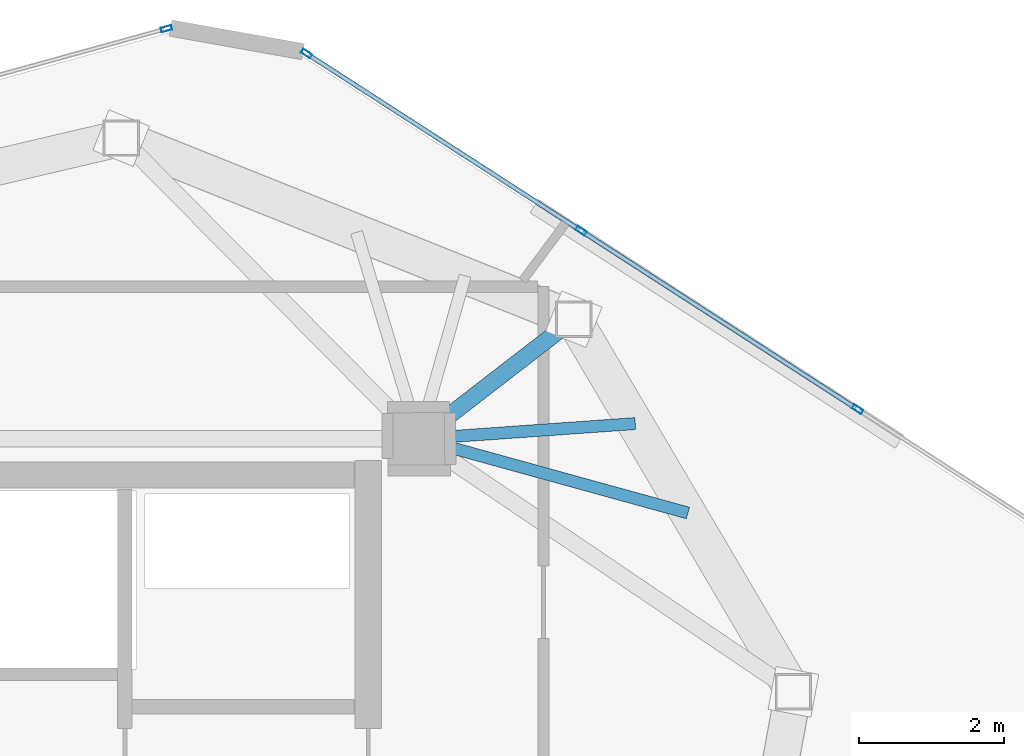
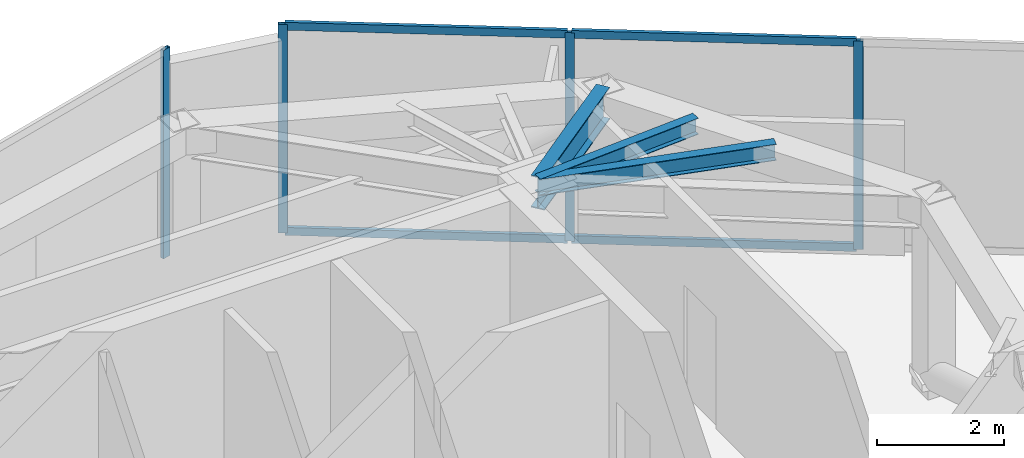
# One storey, part 13 of 19: 8 members, 3 beams, 2 elements without a shape of their own.
"""IFC4 building model written with IfcOpenShell, lengths in metres."""

import ifcopenshell
import ifcopenshell.guid

model = None  # the IFC model being written
_history = None  # IfcOwnerHistory: only IFC2X3 demands one
_inside = {}  # id of a spatial element -> (the spatial element, [elements in it])
_under = {}  # id of a project, library or spatial element -> (it, [spatial elements below it])
_declared = {}  # id of a project -> (the project, [libraries it declares])
_typed = {}  # id of a type object -> (the type object, [elements of that type])
_made_of = {}  # id of a material, layer set ... -> (it, [elements and type objects made of it])


def new_model(schema):
    """Start an empty IFC model of exactly this schema.

    Asked for "IFC4X3", IfcOpenShell would pick the latest addendum, in which some entities
    have other attributes; the version numbers below select the first issue.
    IFC2X3 requires an IfcOwnerHistory on every rooted entity: one is made here for all.
    """
    global model, _history
    if schema == "IFC4X3":
        model = ifcopenshell.file(schema_version=(4, 3, 0, 0))
    else:
        model = ifcopenshell.file(schema=schema)
    _inside.clear()
    _under.clear()
    _declared.clear()
    _typed.clear()
    _made_of.clear()
    _history = None
    if model.schema == "IFC2X3":
        org = make("IfcOrganization", Name="unknown")
        user = make(
            "IfcPersonAndOrganization",
            ThePerson=make("IfcPerson", FamilyName="unknown"),
            TheOrganization=org,
        )
        app = make(
            "IfcApplication",
            ApplicationDeveloper=org,
            Version="unknown",
            ApplicationFullName="unknown",
            ApplicationIdentifier="unknown",
        )
        _history = make(
            "IfcOwnerHistory",
            OwningUser=user,
            OwningApplication=app,
            ChangeAction="ADDED",
            CreationDate=0,
        )
    return model


def make(cls, **values):
    """One entity of the class cls with the attributes given. An attribute that is None is left unset."""
    return model.create_entity(
        cls, **{name: value for name, value in values.items() if value is not None}
    )


def rooted(cls, **values):
    """An entity with a GlobalId (a new one), such as an element, a storey or a relation."""
    return make(cls, GlobalId=ifcopenshell.guid.new(), OwnerHistory=_history, **values)


def si_unit(unit_type, name, prefix=None):
    """IfcSIUnit, for example si_unit("LENGTHUNIT", "METRE", prefix="MILLI")."""
    return make("IfcSIUnit", UnitType=unit_type, Prefix=prefix, Name=name)


def assignment(units):
    """IfcUnitAssignment: the units of a project."""
    return None if units is None else make("IfcUnitAssignment", Units=units)


def point(xyz):
    """IfcCartesianPoint."""
    return None if xyz is None else make("IfcCartesianPoint", Coordinates=xyz)


def direction(xyz):
    """IfcDirection."""
    return None if xyz is None else make("IfcDirection", DirectionRatios=xyz)


def frame(location, z_axis=None, x_axis=None):
    """IfcAxis2Placement3D, a coordinate frame: its origin and axes. An axis left out is left unset."""
    return make(
        "IfcAxis2Placement3D",
        Location=point(location),
        Axis=direction(z_axis),
        RefDirection=direction(x_axis),
    )


def frame_2d(location, x_axis=None):
    """IfcAxis2Placement2D, a coordinate frame in the plane: its origin and x axis."""
    return make(
        "IfcAxis2Placement2D", Location=point(location), RefDirection=direction(x_axis)
    )


def origin():
    """The frame at (0, 0, 0) with its axes left unset."""
    return frame((0.0, 0.0, 0.0))


def origin_2d():
    """The frame at (0, 0) in the plane with its x axis left unset."""
    return frame_2d((0.0, 0.0))


def place(relative_to, where):
    """IfcLocalPlacement: puts the frame where relative to a parent placement (None: the world)."""
    return make(
        "IfcLocalPlacement", PlacementRelTo=relative_to, RelativePlacement=where
    )


def context(
    kind, dimensions, precision=None, world=None, true_north=None, identifier=None
):
    """IfcGeometricRepresentationContext, for example the 3D "Model" context."""
    return make(
        "IfcGeometricRepresentationContext",
        ContextIdentifier=identifier,
        ContextType=kind,
        CoordinateSpaceDimension=dimensions,
        Precision=precision,
        WorldCoordinateSystem=world,
        TrueNorth=true_north,
    )


def subcontext(parent, identifier, kind, view, scale=None):
    """IfcGeometricRepresentationSubContext, for example "Body" below "Model"."""
    return make(
        "IfcGeometricRepresentationSubContext",
        ContextIdentifier=identifier,
        ContextType=kind,
        ParentContext=parent,
        TargetScale=scale,
        TargetView=view,
    )


def project(units=None, contexts=None):
    """IfcProject with its units and contexts."""
    return rooted(
        "IfcProject",
        Name="project",
        RepresentationContexts=contexts,
        UnitsInContext=assignment(units),
    )


def spatial(cls, under=None, at=None, **own):
    """A site, building, storey or space (cls), placed at a placement, below another one or the project."""
    s = rooted(cls, ObjectPlacement=at, **own)
    if under is not None:
        _under.setdefault(under.id(), (under, []))[1].append(s)
    return s


def profile(cls, at=None, kind="AREA", **sizes):
    """A parametric profile (cls). Its sizes go by their IFC names, for example OverallWidth=200.0."""
    return make(cls, ProfileType=kind, Position=at, **sizes)


def hollow_rectangle(**sizes):
    """IfcRectangleHollowProfileDef."""
    return profile("IfcRectangleHollowProfileDef", **sizes)


def i_section(**sizes):
    """IfcIShapeProfileDef."""
    return profile("IfcIShapeProfileDef", **sizes)


def extrude(swept, where, along, depth):
    """IfcExtrudedAreaSolid: the profile swept, set in the frame where, extruded along a direction by depth."""
    return make(
        "IfcExtrudedAreaSolid",
        SweptArea=swept,
        Position=where,
        ExtrudedDirection=direction(along),
        Depth=depth,
    )


def shape(context_of_items, identifier, shape_type, items):
    """IfcShapeRepresentation: the items that make up one representation, for example the "Body"."""
    return make(
        "IfcShapeRepresentation",
        ContextOfItems=context_of_items,
        RepresentationIdentifier=identifier,
        RepresentationType=shape_type,
        Items=items,
    )


def source(mapping_origin, context_of_items, identifier, shape_type, items):
    """IfcRepresentationMap: a shape defined once, which mapped items show again and again."""
    return make(
        "IfcRepresentationMap",
        MappingOrigin=mapping_origin,
        MappedRepresentation=shape(context_of_items, identifier, shape_type, items),
    )


def transform(
    local_origin,
    x_axis=None,
    y_axis=None,
    z_axis=None,
    scale=None,
    scale2=None,
    scale3=None,
    uniform=True,
):
    """IfcCartesianTransformationOperator3D, or its non-uniform kind. x_axis, y_axis, z_axis: its Axis1, 2, 3."""
    if uniform:
        return make(
            "IfcCartesianTransformationOperator3D",
            Axis1=direction(x_axis),
            Axis2=direction(y_axis),
            LocalOrigin=point(local_origin),
            Scale=scale,
            Axis3=direction(z_axis),
        )
    return make(
        "IfcCartesianTransformationOperator3DnonUniform",
        Axis1=direction(x_axis),
        Axis2=direction(y_axis),
        LocalOrigin=point(local_origin),
        Scale=scale,
        Axis3=direction(z_axis),
        Scale2=scale2,
        Scale3=scale3,
    )


def mapped(mapping_source, mapping_target):
    """IfcMappedItem: shows the shape of a source again, moved by a transform."""
    return make(
        "IfcMappedItem", MappingSource=mapping_source, MappingTarget=mapping_target
    )


def material(Name=None, Category=None):
    """IfcMaterial."""
    return make("IfcMaterial", Name=Name, Category=Category)


def layer(
    of_material, thickness, ventilated=None, Name=None, Category=None, Priority=None
):
    """IfcMaterialLayer: one layer of a wall or slab, of a material (None: an air gap)."""
    return make(
        "IfcMaterialLayer",
        Material=of_material,
        LayerThickness=thickness,
        IsVentilated=ventilated,
        Name=Name,
        Category=Category,
        Priority=Priority,
    )


def layer_set(layers, Name=None):
    """IfcMaterialLayerSet."""
    return make("IfcMaterialLayerSet", MaterialLayers=layers, LayerSetName=Name)


def material_profile(
    of_material, cross_section, Name=None, Category=None, Priority=None
):
    """IfcMaterialProfile: a cross section and its material."""
    return make(
        "IfcMaterialProfile",
        Name=Name,
        Material=of_material,
        Profile=cross_section,
        Priority=Priority,
        Category=Category,
    )


def profile_set(profiles, Name=None, composite=None):
    """IfcMaterialProfileSet."""
    return make(
        "IfcMaterialProfileSet",
        Name=Name,
        MaterialProfiles=profiles,
        CompositeProfile=composite,
    )


def made_of(thing, what):
    """Note that an element or type object is made of a material, layer set ...; save() writes the relation."""
    if what is not None:
        _made_of.setdefault(what.id(), (what, []))[1].append(thing)
    return thing


def type_object(cls, material=None, **own):
    """A type object (cls), such as IfcWallType, which elements share."""
    return made_of(rooted(cls, **own), material)


def type_shapes(of_type, sources):
    """Give a type object the sources (RepresentationMaps) that its elements show as mapped items."""
    of_type.RepresentationMaps = sources


def element(
    cls,
    number,
    at=None,
    inside=None,
    cuts=None,
    type_object=None,
    material=None,
    context=None,
    identifier="Body",
    shape_type=None,
    held_by="IfcProductDefinitionShape",
    body=None,
    shapes=None,
    **own,
):
    """One element of the class cls, such as IfcWall. Its Tag is "e" and its number.

    at: its placement. inside: the storey or other place that contains it. cuts: it is an
    opening in that element (IfcRelVoidsElement). A single representation is given by context,
    identifier, shape_type and body (its items); several are given by shapes. held_by: the class
    of the entity that holds the representations. save() writes the other relations.
    """
    e = rooted(cls, Tag="e%d" % number, ObjectPlacement=at, **own)
    if body is not None:
        shapes = [shape(context, identifier, shape_type, body)]
    if shapes is not None:
        e.Representation = make(held_by, Representations=shapes)
    if inside is not None:
        _inside.setdefault(inside.id(), (inside, []))[1].append(e)
    if cuts is not None:
        rooted(
            "IfcRelVoidsElement", RelatingBuildingElement=cuts, RelatedOpeningElement=e
        )
    if type_object is not None:
        _typed.setdefault(type_object.id(), (type_object, []))[1].append(e)
    return made_of(e, material)


def aggregate(whole, parts):
    """IfcRelAggregates: a whole, such as a stair, and the parts it consists of."""
    return rooted("IfcRelAggregates", RelatingObject=whole, RelatedObjects=parts)


def save(model, path):
    """Write the relations noted so far, then the file.

    IfcRelAggregates (storeys below a building ...), IfcRelContainedInSpatialStructure (elements
    in a storey), IfcRelDefinesByType, IfcRelAssociatesMaterial and IfcRelDeclares: one each for
    every whole, place, type object, material and project.
    """
    for whole, parts in _under.values():
        aggregate(whole, parts)
    for where, things in _inside.values():
        rooted(
            "IfcRelContainedInSpatialStructure",
            RelatedElements=things,
            RelatingStructure=where,
        )
    for kind, things in _typed.values():
        rooted("IfcRelDefinesByType", RelatedObjects=things, RelatingType=kind)
    for what, things in _made_of.values():
        rooted("IfcRelAssociatesMaterial", RelatedObjects=things, RelatingMaterial=what)
    for by, libraries in _declared.values():
        rooted("IfcRelDeclares", RelatingContext=by, RelatedDefinitions=libraries)
    model.write(path)


model = new_model("IFC4")

# Units and contexts
model_context = context("Model", 3, precision=1e-05, world=origin(), true_north=direction((0.0, 1.0)))
body_context = subcontext(model_context, "Body", "Model", "MODEL_VIEW")
ifc_project = project(units=[si_unit("LENGTHUNIT", "METRE"), si_unit("AREAUNIT", "SQUARE_METRE"), si_unit("VOLUMEUNIT", "CUBIC_METRE"), si_unit("PLANEANGLEUNIT", "RADIAN"), si_unit("MASSUNIT", "GRAM", prefix="KILO")], contexts=[model_context])

# Site, building, storey
site_placement = place(None, origin())
site = spatial("IfcSite", under=ifc_project, at=site_placement, CompositionType="ELEMENT")
building_placement = place(site_placement, origin())
building = spatial("IfcBuilding", under=site, at=building_placement, Name="Talar Marvaseh", CompositionType="ELEMENT")
storey_placement = place(building_placement, frame((0.0, 0.0, 296.0)))
storey = spatial("IfcBuildingStorey", under=building, at=storey_placement, Name="L79", CompositionType="ELEMENT", Elevation=296.0)

# Beams
ifc_material_1 = material(Name="Steel S355", Category="steel")
ifc_material_profile_1 = material_profile(ifc_material_1, i_section(OverallWidth=0.166015625, OverallDepth=0.31298828125, WebThickness=0.006591796875, FlangeThickness=0.01123046875, at=origin_2d()), Name="W310x45")
ifc_profile_set_1 = profile_set([ifc_material_profile_1], Name="Steel S355")
beam_type_1 = type_object("IfcBeamType", Name="Zone 3 Secondary Floor Joist W310x45", PredefinedType="JOIST", material=ifc_profile_set_1)
beam_1_placement = place(storey_placement, frame((36.287109375, 37.1103515625, 3.58349609375), z_axis=(-0.99752734531, -0.070279409208, 0.0), x_axis=(0.070279409208, -0.99752734531, 0.0)))
element("IfcBeam", 1, at=beam_1_placement, inside=storey, type_object=beam_type_1, Name="L79 Zone 3 Secondary Floor Joist W310x45", PredefinedType="JOIST", context=body_context, shape_type="SweptSolid", body=[
    extrude(i_section(OverallWidth=0.166015625, OverallDepth=0.31298828125, WebThickness=0.006591796875, FlangeThickness=0.01123046875, at=origin_2d()), origin(), (0.0, 0.0, 1.0), 2.994384765625),
])
beam_2_placement = place(storey_placement, frame((37.01513671875, 35.87548828125, 3.58349609375), z_axis=(-0.964021733175, 0.265823433818, 0.0), x_axis=(-0.265823433818, -0.964021733175, 0.0)))
element("IfcBeam", 2, at=beam_2_placement, inside=storey, type_object=beam_type_1, Name="L79 Zone 3 Secondary Floor Joist W310x45", PredefinedType="JOIST", context=body_context, shape_type="SweptSolid", body=[
    extrude(i_section(OverallWidth=0.166015625, OverallDepth=0.31298828125, WebThickness=0.006591796875, FlangeThickness=0.01123046875, at=origin_2d()), origin(), (0.0, 0.0, 1.0), 3.853759765625),
])
ifc_material_profile_2 = material_profile(ifc_material_1, i_section(OverallWidth=0.22998046875, OverallDepth=0.616943359375, WebThickness=0.01318359375, FlangeThickness=0.022216796875, at=origin_2d()), Name="W610x140")
ifc_profile_set_2 = profile_set([ifc_material_profile_2], Name="Steel S355")
beam_type_2 = type_object("IfcBeamType", Name="Zone 4 Radial Floor Girder W610x140", PredefinedType="BEAM", material=ifc_profile_set_2)
beam_3_placement = place(storey_placement, frame((35.43798828125, 38.551025390625, 3.431396484375), z_axis=(-0.791449946636, -0.611233982996, 0.0), x_axis=(0.611233982996, -0.791449946636, 0.0)))
element("IfcBeam", 3, at=beam_3_placement, inside=storey, type_object=beam_type_2, Name="L79 Zone 4 Radial Floor Girder W610x140", PredefinedType="BEAM", context=body_context, shape_type="SweptSolid", body=[
    extrude(i_section(OverallWidth=0.22998046875, OverallDepth=0.616943359375, WebThickness=0.01318359375, FlangeThickness=0.022216796875, at=origin_2d()), origin(), (0.0, 0.0, 1.0), 2.701416015625),
])

# Curtain wall, members
ifc_material_2 = material(Name="Architectural Aluminium", Category="aluminium")
ifc_layer = layer(ifc_material_2, 0.2099609375)
ifc_layer_set = layer_set([ifc_layer], Name="Architectural Aluminium")
curtain_wall_type = type_object("IfcCurtainWallType", Name="Crown Plant Acoustic Spandrel Curtain Wall", PredefinedType="NOTDEFINED", material=ifc_layer_set)
curtain_wall_1_placement = place(storey_placement, origin())
curtain_wall_1 = element("IfcCurtainWall", 4, at=curtain_wall_1_placement, inside=storey, type_object=curtain_wall_type, Name="L79 Crown Plant Acoustic Spandrel Curtain Wall", PredefinedType="NOTDEFINED")
ifc_material_profile_3 = material_profile(ifc_material_2, hollow_rectangle(XDim=0.06494140625, YDim=0.14990234375, WallThickness=0.00390625, at=origin_2d()), Name="RHS150x65x4")
ifc_profile_set_3 = profile_set([ifc_material_profile_3], Name="Architectural Aluminium")
member_type_1 = type_object("IfcMemberType", Name="Unitised Curtain Wall Slim Transom RHS150x65x4", PredefinedType="USERDEFINED", material=ifc_profile_set_3)
shared_shape_1 = source(origin(), body_context, "Body", "SweptSolid", [
    extrude(hollow_rectangle(XDim=0.06494140625, YDim=0.14990234375, WallThickness=0.00390625, at=origin_2d()), origin(), (0.0, 0.0, 1.0), 4.447509765625),
])
member_1_placement = place(storey_placement, frame((31.77490234375, 42.2021484375, 0.032470703125), z_axis=(0.840110254685, -0.54241567084, 0.0), x_axis=(0.54241567084, 0.840110254685, 0.0)))
member_1 = element("IfcMember", 5, at=member_1_placement, type_object=member_type_1, Name="CW-CRN transom 1.1", ObjectType="TRANSOM", PredefinedType="USERDEFINED", context=body_context, shape_type="MappedRepresentation", body=[
    mapped(shared_shape_1, transform((0.0, 0.0, 0.0), x_axis=(1.0, 0.0, 0.0), y_axis=(0.0, 1.0, 0.0), z_axis=(0.0, 0.0, 1.0), scale=1.0)),
])
member_2_placement = place(storey_placement, frame((31.77490234375, 42.2021484375, 3.967529296875), z_axis=(0.840110254685, -0.54241567084, 0.0), x_axis=(0.54241567084, 0.840110254685, 0.0)))
member_2 = element("IfcMember", 6, at=member_2_placement, type_object=member_type_1, Name="CW-CRN transom 1.2", ObjectType="TRANSOM", PredefinedType="USERDEFINED", context=body_context, shape_type="MappedRepresentation", body=[
    mapped(shared_shape_1, transform((0.0, 0.0, 0.0), x_axis=(1.0, 0.0, 0.0), y_axis=(0.0, 1.0, 0.0), z_axis=(0.0, 0.0, 1.0), scale=1.0)),
])
shared_shape_2 = source(origin(), body_context, "Body", "SweptSolid", [
    extrude(hollow_rectangle(XDim=0.06494140625, YDim=0.14990234375, WallThickness=0.00390625, at=origin_2d()), origin(), (0.0, 0.0, 1.0), 4.47998046875),
])
type_shapes(member_type_1, [shared_shape_1, shared_shape_2])
member_3_placement = place(storey_placement, frame((35.56591796875, 39.754638671875, 0.032470703125), z_axis=(0.840118017487, -0.542403647382, 0.0), x_axis=(0.542403647382, 0.840118017487, 0.0)))
member_3 = element("IfcMember", 7, at=member_3_placement, type_object=member_type_1, Name="CW-CRN transom 2.1", ObjectType="TRANSOM", PredefinedType="USERDEFINED", context=body_context, shape_type="MappedRepresentation", body=[
    mapped(shared_shape_2, transform((0.0, 0.0, 0.0), x_axis=(1.0, 0.0, 0.0), y_axis=(0.0, 1.0, 0.0), z_axis=(0.0, 0.0, 1.0), scale=1.0)),
])
member_4_placement = place(storey_placement, frame((35.56591796875, 39.754638671875, 3.967529296875), z_axis=(0.840118017487, -0.542403647382, 0.0), x_axis=(0.542403647382, 0.840118017487, 0.0)))
member_4 = element("IfcMember", 8, at=member_4_placement, type_object=member_type_1, Name="CW-CRN transom 2.2", ObjectType="TRANSOM", PredefinedType="USERDEFINED", context=body_context, shape_type="MappedRepresentation", body=[
    mapped(shared_shape_2, transform((0.0, 0.0, 0.0), x_axis=(1.0, 0.0, 0.0), y_axis=(0.0, 1.0, 0.0), z_axis=(0.0, 0.0, 1.0), scale=1.0)),
])

# Curtain wall, member
curtain_wall_2_placement = place(storey_placement, origin())
curtain_wall_2 = element("IfcCurtainWall", 9, at=curtain_wall_2_placement, inside=storey, type_object=curtain_wall_type, Name="L79 Crown Plant Acoustic Spandrel Curtain Wall", PredefinedType="NOTDEFINED")
ifc_material_profile_4 = material_profile(ifc_material_2, hollow_rectangle(XDim=0.06494140625, YDim=0.14990234375, WallThickness=0.00390625, at=origin_2d()), Name="RHS150x65x4")
ifc_profile_set_4 = profile_set([ifc_material_profile_4], Name="Architectural Aluminium")
member_type_2 = type_object("IfcMemberType", Name="Unitised Curtain Wall Slim Mullion RHS150x65x4", PredefinedType="MULLION", material=ifc_profile_set_4)
shared_shape_3 = source(origin(), body_context, "Body", "SweptSolid", [
    extrude(hollow_rectangle(XDim=0.06494140625, YDim=0.14990234375, WallThickness=0.00390625, at=origin_2d()), origin(), (0.0, 0.0, 1.0), 4.0),
])
type_shapes(member_type_2, [shared_shape_3])
member_5_placement = place(storey_placement, frame((29.81298828125, 42.5625, 0.0), z_axis=(0.0, 0.0, 1.0), x_axis=(-0.266091499978, 0.963947775369, 0.0)))
member_5 = element("IfcMember", 10, at=member_5_placement, type_object=member_type_2, Name="CW-CRN mullion 4", PredefinedType="MULLION", context=body_context, shape_type="MappedRepresentation", body=[
    mapped(shared_shape_3, transform((0.0, 0.0, 0.0), x_axis=(1.0, 0.0, 0.0), y_axis=(0.0, 1.0, 0.0), z_axis=(0.0, 0.0, 1.0), scale=1.0)),
])
aggregate(curtain_wall_2, [member_5])

# Member
member_6_placement = place(storey_placement, frame((31.74755859375, 42.2197265625, 0.0), z_axis=(0.0, 0.0, 1.0), x_axis=(0.54238794961, 0.840128152199, 0.0)))
member_6 = element("IfcMember", 11, at=member_6_placement, type_object=member_type_2, Name="CW-CRN mullion 1", PredefinedType="MULLION", context=body_context, shape_type="MappedRepresentation", body=[
    mapped(shared_shape_3, transform((0.0, 0.0, 0.0), x_axis=(1.0, 0.0, 0.0), y_axis=(0.0, 1.0, 0.0), z_axis=(0.0, 0.0, 1.0), scale=1.0)),
])

member_7_placement = place(storey_placement, frame((35.53857421875, 39.772216796875, 0.0), z_axis=(0.0, 0.0, 1.0), x_axis=(0.54238794961, 0.840128152199, 0.0)))
member_7 = element("IfcMember", 12, at=member_7_placement, type_object=member_type_2, Name="CW-CRN mullion 2", PredefinedType="MULLION", context=body_context, shape_type="MappedRepresentation", body=[
    mapped(shared_shape_3, transform((0.0, 0.0, 0.0), x_axis=(1.0, 0.0, 0.0), y_axis=(0.0, 1.0, 0.0), z_axis=(0.0, 0.0, 1.0), scale=1.0)),
])

member_8_placement = place(storey_placement, frame((39.35693359375, 37.30712890625, 0.0), z_axis=(0.0, 0.0, 1.0), x_axis=(0.54238794961, 0.840128152199, 0.0)))
member_8 = element("IfcMember", 13, at=member_8_placement, type_object=member_type_2, Name="CW-CRN mullion 3", PredefinedType="MULLION", context=body_context, shape_type="MappedRepresentation", body=[
    mapped(shared_shape_3, transform((0.0, 0.0, 0.0), x_axis=(1.0, 0.0, 0.0), y_axis=(0.0, 1.0, 0.0), z_axis=(0.0, 0.0, 1.0), scale=1.0)),
])

aggregate(curtain_wall_1, [member_6, member_7, member_8, member_1, member_2, member_3, member_4])

save(model, "model.ifc")
